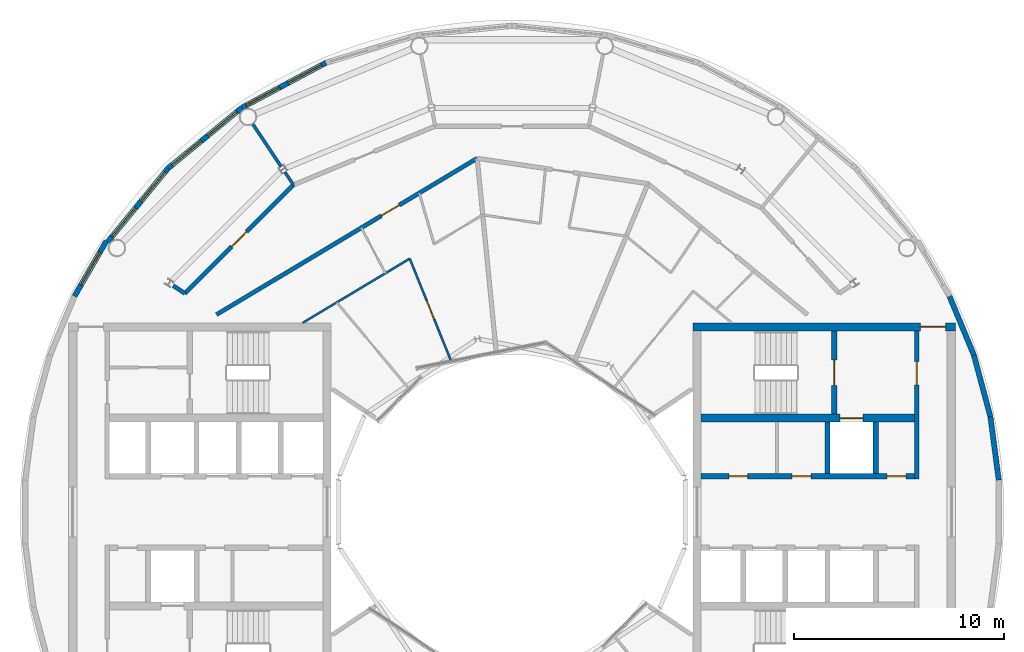
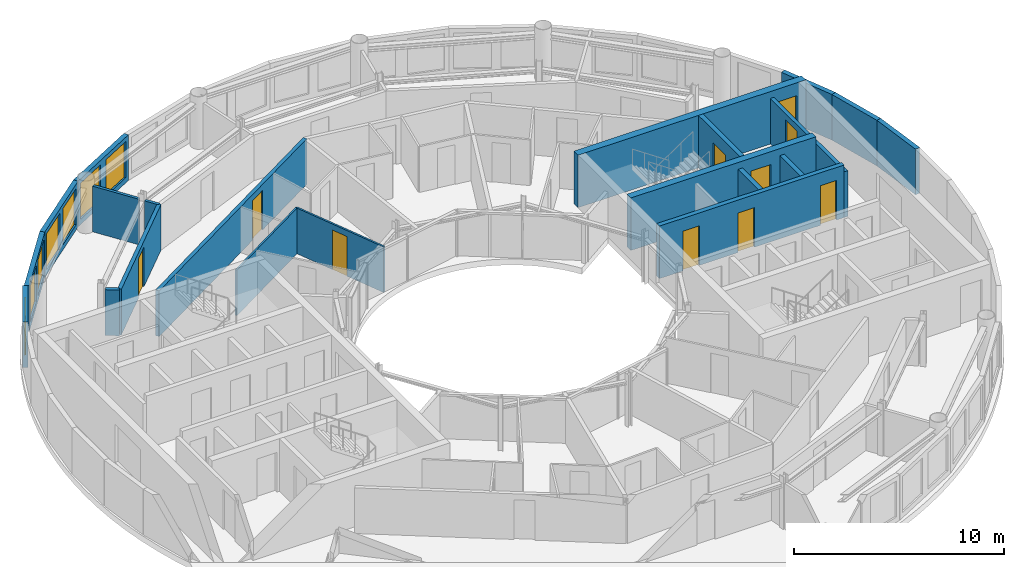
# One storey, part 12 of 17: 21 walls, 10 doors, 7 windows, 17 openings.
"""IFC4 building model written with IfcOpenShell, lengths in metres."""

from ifc_helpers import new_model, si_unit, direction, frame, frame_2d, origin, place, context, subcontext, project, spatial, rectangle, extrude, material, layer, layer_set, type_object, element, fill, save


model = new_model("IFC4")

# Units and contexts
model_context = context("Model", 3, precision=1e-05, world=origin(), true_north=direction((0.0, 1.0)))
body_context = subcontext(model_context, "Body", "Model", "MODEL_VIEW")
ifc_project = project(units=[si_unit("LENGTHUNIT", "METRE"), si_unit("AREAUNIT", "SQUARE_METRE"), si_unit("VOLUMEUNIT", "CUBIC_METRE"), si_unit("PLANEANGLEUNIT", "RADIAN"), si_unit("MASSUNIT", "GRAM", prefix="KILO")], contexts=[model_context])

# Site, building, storey
site_placement = place(None, origin())
site = spatial("IfcSite", under=ifc_project, at=site_placement, CompositionType="ELEMENT")
building_placement = place(site_placement, origin())
building = spatial("IfcBuilding", under=site, at=building_placement, Name="Maasbend Ring Residences", CompositionType="ELEMENT")
storey_placement = place(building_placement, frame((0.0, 0.0, 252.35009765625)))
storey = spatial("IfcBuildingStorey", under=building, at=storey_placement, Name="L73", CompositionType="ELEMENT", Elevation=252.35009765625)

# Wall, openings, doors
ifc_material_1 = material(Name="Concrete C50/60", Category="concrete")
ifc_layer_1 = layer(ifc_material_1, 0.25)
ifc_layer_set_1 = layer_set([ifc_layer_1], Name="Concrete C50/60")
wall_type_1 = type_object("IfcWallType", Name="CORE WALL 250 C50/60", PredefinedType="SHEAR", material=ifc_layer_set_1)
wall_1_placement = place(storey_placement, frame((9.0, 1.699951171875, 0.0), z_axis=(0.0, 0.0, 1.0), x_axis=(1.0, 0.0, 0.0)))
wall_1 = element("IfcWall", 1, at=wall_1_placement, inside=storey, type_object=wall_type_1, Name="L73 core E wall SPN", PredefinedType="SHEAR", context=body_context, shape_type="SweptSolid", body=[
    extrude(rectangle(XDim=10.14990234375, YDim=0.25, at=frame_2d((5.074951171875, 0.0))), origin(), (0.0, 0.0, 1.0), 3.0498046875),
])
opening_1_placement = place(wall_1_placement, frame((1.3125, 0.0, 0.0)))
opening_1 = element("IfcOpeningElement", 2, at=opening_1_placement, cuts=wall_1, Name="Opening D-E7306", PredefinedType="OPENING", context=body_context, shape_type="SweptSolid", body=[
    extrude(rectangle(XDim=0.89990234375, YDim=2.300048828125, at=frame_2d((0.449951171875, 1.14990234375))), frame((0.0, 0.135009765625, 0.0), z_axis=(0.0, -1.0, 0.0), x_axis=(1.0, 0.0, 0.0)), (0.0, 0.0, 1.0), 0.27001953125),
])
opening_2_placement = place(wall_1_placement, frame((4.324951171875, 0.0, 0.0)))
opening_2 = element("IfcOpeningElement", 3, at=opening_2_placement, cuts=wall_1, Name="Opening D-E7307", PredefinedType="OPENING", context=body_context, shape_type="SweptSolid", body=[
    extrude(rectangle(XDim=0.89990234375, YDim=2.300048828125, at=frame_2d((0.449951171875, 1.14990234375))), frame((0.0, 0.135009765625, 0.0), z_axis=(0.0, -1.0, 0.0), x_axis=(1.0, 0.0, 0.0)), (0.0, 0.0, 1.0), 0.27001953125),
])
opening_3_placement = place(wall_1_placement, frame((8.83740234375, 0.0, 0.0)))
opening_3 = element("IfcOpeningElement", 4, at=opening_3_placement, cuts=wall_1, Name="Opening D-E7308", PredefinedType="OPENING", context=body_context, shape_type="SweptSolid", body=[
    extrude(rectangle(XDim=0.89990234375, YDim=2.300048828125, at=frame_2d((0.449951171875, 1.14990234375))), frame((0.0, 0.135009765625, 0.0), z_axis=(0.0, -1.0, 0.0), x_axis=(1.0, 0.0, 0.0)), (0.0, 0.0, 1.0), 0.27001953125),
])
ifc_material_2 = material(Name="Steel, powder coated", Category="steel")
door_type_1 = type_object("IfcDoorType", Name="ROOM DOOR 900 X 2300 FD30S", OperationType="NOTDEFINED", PredefinedType="DOOR", material=ifc_material_2)
door_1_placement = place(opening_1_placement, origin())
door_1 = element("IfcDoor", 5, at=door_1_placement, inside=storey, type_object=door_type_1, Name="Room door L73", OperationType="SINGLE_SWING_RIGHT", OverallHeight=2.300048828125, OverallWidth=0.89990234375, PredefinedType="DOOR", context=body_context, shape_type="SweptSolid", body=[
    extrude(rectangle(XDim=0.89990234375, YDim=2.300048828125, at=frame_2d((0.449951171875, 1.14990234375))), frame((0.0, 0.02490234375, 0.0), z_axis=(0.0, -1.0, 0.0), x_axis=(1.0, 0.0, 0.0)), (0.0, 0.0, 1.0), 0.050048828125),
])
fill(opening_1, door_1)
door_2_placement = place(opening_2_placement, origin())
door_2 = element("IfcDoor", 6, at=door_2_placement, inside=storey, type_object=door_type_1, Name="Room door L73", OperationType="SINGLE_SWING_RIGHT", OverallHeight=2.300048828125, OverallWidth=0.89990234375, PredefinedType="DOOR", context=body_context, shape_type="SweptSolid", body=[
    extrude(rectangle(XDim=0.89990234375, YDim=2.300048828125, at=frame_2d((0.449951171875, 1.14990234375))), frame((0.0, 0.02490234375, 0.0), z_axis=(0.0, -1.0, 0.0), x_axis=(1.0, 0.0, 0.0)), (0.0, 0.0, 1.0), 0.050048828125),
])
fill(opening_2, door_2)
door_3_placement = place(opening_3_placement, origin())
door_3 = element("IfcDoor", 7, at=door_3_placement, inside=storey, type_object=door_type_1, Name="Room door L73", OperationType="SINGLE_SWING_LEFT", OverallHeight=2.300048828125, OverallWidth=0.89990234375, PredefinedType="DOOR", context=body_context, shape_type="SweptSolid", body=[
    extrude(rectangle(XDim=0.89990234375, YDim=2.300048828125, at=frame_2d((0.449951171875, 1.14990234375))), frame((0.0, 0.02490234375, 0.0), z_axis=(0.0, -1.0, 0.0), x_axis=(1.0, 0.0, 0.0)), (0.0, 0.0, 1.0), 0.050048828125),
])
fill(opening_3, door_3)

# Wall, opening, door
wall_2_placement = place(storey_placement, frame((15.324951171875, 4.64990234375, 0.0), z_axis=(0.0, 0.0, 1.0), x_axis=(0.0, 1.0, 0.0)))
wall_2 = element("IfcWall", 8, at=wall_2_placement, inside=storey, type_object=wall_type_1, Name="L73 core E wall STEN", PredefinedType="SHEAR", context=body_context, shape_type="SweptSolid", body=[
    extrude(rectangle(XDim=3.9501953125, YDim=0.25, at=frame_2d((1.97509765625, 0.0))), origin(), (0.0, 0.0, 1.0), 3.0498046875),
])
opening_4_placement = place(wall_2_placement, frame((1.375, 0.0, 0.0)))
opening_4 = element("IfcOpeningElement", 9, at=opening_4_placement, cuts=wall_2, Name="Opening D-E7311", PredefinedType="OPENING", context=body_context, shape_type="SweptSolid", body=[
    extrude(rectangle(XDim=1.199951171875, YDim=2.300048828125, at=frame_2d((0.60009765625, 1.14990234375))), frame((0.0, 0.135009765625, 0.0), z_axis=(0.0, -1.0, 0.0), x_axis=(1.0, 0.0, 0.0)), (0.0, 0.0, 1.0), 0.27001953125),
])
ifc_material_3 = material(Name="Steel, powder coated", Category="steel")
door_type_2 = type_object("IfcDoorType", Name="STAIR DOOR 1200 X 2300 FD60", OperationType="NOTDEFINED", PredefinedType="DOOR", material=ifc_material_3)
door_4_placement = place(opening_4_placement, origin())
door_4 = element("IfcDoor", 10, at=door_4_placement, inside=storey, type_object=door_type_2, Name="Stair door ST-E L73", OperationType="SINGLE_SWING_LEFT", OverallHeight=2.300048828125, OverallWidth=1.199951171875, PredefinedType="DOOR", context=body_context, shape_type="SweptSolid", body=[
    extrude(rectangle(XDim=1.199951171875, YDim=2.300048828125, at=frame_2d((0.60009765625, 1.14990234375))), frame((0.0, 0.02490234375, 0.0), z_axis=(0.0, -1.0, 0.0), x_axis=(1.0, 0.0, 0.0)), (0.0, 0.0, 1.0), 0.050048828125),
])
fill(opening_4, door_4)

ifc_material_4 = material(Name="Concrete C50/60", Category="concrete")
ifc_layer_2 = layer(ifc_material_4, 0.375)
ifc_layer_set_2 = layer_set([ifc_layer_2], Name="Concrete C50/60")
wall_type_2 = type_object("IfcWallType", Name="CORE WALL 375 C50/60", PredefinedType="SHEAR", material=ifc_layer_set_2)
wall_3_placement = place(storey_placement, frame((9.0, 4.46240234375, 0.0), z_axis=(0.0, 0.0, 1.0), x_axis=(1.0, 0.0, 0.0)))
wall_3 = element("IfcWall", 11, at=wall_3_placement, inside=storey, type_object=wall_type_2, Name="L73 core E wall BN", PredefinedType="SHEAR", context=body_context, shape_type="SweptSolid", body=[
    extrude(rectangle(XDim=10.14990234375, YDim=0.375, at=frame_2d((5.074951171875, 0.0))), origin(), (0.0, 0.0, 1.0), 3.0498046875),
])
opening_5_placement = place(wall_3_placement, frame((6.60009765625, 0.0, 0.0)))
opening_5 = element("IfcOpeningElement", 12, at=opening_5_placement, cuts=wall_3, Name="Opening LD-E7301", PredefinedType="OPENING", context=body_context, shape_type="SweptSolid", body=[
    extrude(rectangle(XDim=1.10009765625, YDim=2.300048828125, at=frame_2d((0.550048828125, 1.14990234375))), frame((0.0, 0.197509765625, 0.0), z_axis=(0.0, -1.0, 0.0), x_axis=(1.0, 0.0, 0.0)), (0.0, 0.0, 1.0), 0.39501953125),
])
ifc_material_5 = material(Name="Stainless steel 316", Category="steel")
door_type_3 = type_object("IfcDoorType", Name="LANDING DOOR 1100 X 2300 FD60", OperationType="DOUBLE_DOOR_SLIDING", PredefinedType="DOOR", material=ifc_material_5)
door_5_placement = place(opening_5_placement, origin())
door_5 = element("IfcDoor", 13, at=door_5_placement, inside=storey, type_object=door_type_3, Name="Landing door FF-E L73", OperationType="DOUBLE_DOOR_SLIDING", OverallHeight=2.300048828125, OverallWidth=1.10009765625, PredefinedType="DOOR", context=body_context, shape_type="SweptSolid", body=[
    extrude(rectangle(XDim=1.10009765625, YDim=2.300048828125, at=frame_2d((0.550048828125, 1.14990234375))), frame((0.0, 0.02490234375, 0.0), z_axis=(0.0, -1.0, 0.0), x_axis=(1.0, 0.0, 0.0)), (0.0, 0.0, 1.0), 0.050048828125),
])
fill(opening_5, door_5)

ifc_material_6 = material(Name="Concrete C50/60", Category="concrete")
ifc_layer_3 = layer(ifc_material_6, 0.39990234375)
ifc_layer_set_3 = layer_set([ifc_layer_3], Name="Concrete C50/60")
wall_type_3 = type_object("IfcWallType", Name="CORE WALL 400 C50/60", PredefinedType="SHEAR", material=ifc_layer_set_3)
wall_4_placement = place(storey_placement, frame((21.10009765625, 8.800048828125, 0.0), z_axis=(0.0, 0.0, 1.0), x_axis=(-1.0, 0.0, 0.0)))
wall_4 = element("IfcWall", 14, at=wall_4_placement, inside=storey, type_object=wall_type_3, Name="L73 core E wall PN", PredefinedType="SHEAR", context=body_context, shape_type="SweptSolid", body=[
    extrude(rectangle(XDim=12.5, YDim=0.39990234375, at=frame_2d((6.25, 0.0))), origin(), (0.0, 0.0, 1.0), 3.0498046875),
])
opening_6_placement = place(wall_4_placement, frame((0.47509765625, 0.0, 0.0)))
opening_6 = element("IfcOpeningElement", 15, at=opening_6_placement, cuts=wall_4, Name="Opening D-E7315", PredefinedType="OPENING", context=body_context, shape_type="SweptSolid", body=[
    extrude(rectangle(XDim=1.199951171875, YDim=2.300048828125, at=frame_2d((0.60009765625, 1.14990234375))), frame((0.0, 0.2099609375, 0.0), z_axis=(0.0, -1.0, 0.0), x_axis=(1.0, 0.0, 0.0)), (0.0, 0.0, 1.0), 0.419921875),
])
ifc_material_7 = material(Name="Steel, powder coated", Category="steel")
door_type_4 = type_object("IfcDoorType", Name="CORRIDOR DOOR 1200 X 2300 FD30S", OperationType="NOTDEFINED", PredefinedType="DOOR", material=ifc_material_7)
door_6_placement = place(opening_6_placement, origin())
door_6 = element("IfcDoor", 16, at=door_6_placement, inside=storey, type_object=door_type_4, Name="Corridor door L73", OperationType="SINGLE_SWING_RIGHT", OverallHeight=2.300048828125, OverallWidth=1.199951171875, PredefinedType="DOOR", context=body_context, shape_type="SweptSolid", body=[
    extrude(rectangle(XDim=1.199951171875, YDim=2.300048828125, at=frame_2d((0.60009765625, 1.14990234375))), frame((0.0, 0.02490234375, 0.0), z_axis=(0.0, -1.0, 0.0), x_axis=(1.0, 0.0, 0.0)), (0.0, 0.0, 1.0), 0.050048828125),
])
fill(opening_6, door_6)

# Wall
ifc_material_8 = material(Name="Concrete C30/37", Category="concrete")
ifc_layer_4 = layer(ifc_material_8, 0.199951171875)
ifc_layer_set_4 = layer_set([ifc_layer_4], Name="Concrete C30/37")
wall_type_4 = type_object("IfcWallType", Name="CORRIDOR WALL 200 CONCRETE", PredefinedType="PARTITIONING", material=ifc_layer_set_4)
wall_5_placement = place(storey_placement, frame((-16.114013671875, 10.76708984375, 0.0), z_axis=(0.0, 0.0, 1.0), x_axis=(0.831601508083, -0.555372786292, 0.0)))
element("IfcWall", 17, at=wall_5_placement, inside=storey, type_object=wall_type_4, Name="U-L73-w018", PredefinedType="PARTITIONING", context=body_context, shape_type="SweptSolid", body=[
    extrude(rectangle(XDim=0.669921875, YDim=0.199951171875, at=frame_2d((0.3349609375, 0.0))), origin(), (0.0, 0.0, 1.0), 2.64990234375),
])

# Wall, opening, door
wall_6_placement = place(storey_placement, frame((-14.052001953125, 9.388916015625, 0.0), z_axis=(0.0, 0.0, 1.0), x_axis=(0.857683679102, 0.51417769944, 0.0)))
wall_6 = element("IfcWall", 18, at=wall_6_placement, inside=storey, type_object=wall_type_4, Name="U-L73-w063", PredefinedType="PARTITIONING", context=body_context, shape_type="SweptSolid", body=[
    extrude(rectangle(XDim=14.45068359375, YDim=0.199951171875, at=frame_2d((7.225341796875, 0.0))), origin(), (0.0, 0.0, 1.0), 2.64990234375),
])
opening_7_placement = place(wall_6_placement, frame((9.134033203125, 0.0, 0.0)))
opening_7 = element("IfcOpeningElement", 19, at=opening_7_placement, cuts=wall_6, Name="Opening D-7318", PredefinedType="OPENING", context=body_context, shape_type="SweptSolid", body=[
    extrude(rectangle(XDim=1.0, YDim=2.300048828125, at=frame_2d((0.5, 1.14990234375))), frame((0.0, 0.10986328125, 0.0), z_axis=(0.0, -1.0, 0.0), x_axis=(1.0, 0.0, 0.0)), (0.0, 0.0, 1.0), 0.219970703125),
])
ifc_material_9 = material(Name="Timber, fire-rated, painted", Category="wood")
door_type_5 = type_object("IfcDoorType", Name="FLAT ENTRANCE DOOR 1000 X 2300 FIRE-RATED", OperationType="NOTDEFINED", PredefinedType="DOOR", material=ifc_material_9)
door_7_placement = place(opening_7_placement, origin())
door_7 = element("IfcDoor", 20, at=door_7_placement, inside=storey, type_object=door_type_5, Name="D-7318", OperationType="SINGLE_SWING_RIGHT", OverallHeight=2.300048828125, OverallWidth=1.0, PredefinedType="DOOR", context=body_context, shape_type="SweptSolid", body=[
    extrude(rectangle(XDim=1.0, YDim=2.300048828125, at=frame_2d((0.5, 1.14990234375))), frame((0.0, 0.02490234375, 0.0), z_axis=(0.0, -1.0, 0.0), x_axis=(1.0, 0.0, 0.0)), (0.0, 0.0, 1.0), 0.050048828125),
])
fill(opening_7, door_7)

wall_7_placement = place(storey_placement, frame((-15.556884765625, 10.39501953125, 0.0), z_axis=(0.0, 0.0, 1.0), x_axis=(0.707106781187, 0.707106781187, 0.0)))
wall_7 = element("IfcWall", 21, at=wall_7_placement, inside=storey, type_object=wall_type_4, Name="U-L73-w067", PredefinedType="PARTITIONING", context=body_context, shape_type="SweptSolid", body=[
    extrude(rectangle(XDim=7.300048828125, YDim=0.199951171875, at=frame_2d((3.64990234375, 0.0))), origin(), (0.0, 0.0, 1.0), 2.64990234375),
])
opening_8_placement = place(wall_7_placement, frame((3.14990234375, 0.0, 0.0)))
opening_8 = element("IfcOpeningElement", 22, at=opening_8_placement, cuts=wall_7, Name="Opening D-7305", PredefinedType="OPENING", context=body_context, shape_type="SweptSolid", body=[
    extrude(rectangle(XDim=1.0, YDim=2.300048828125, at=frame_2d((0.5, 1.14990234375))), frame((0.0, 0.10986328125, 0.0), z_axis=(0.0, -1.0, 0.0), x_axis=(1.0, 0.0, 0.0)), (0.0, 0.0, 1.0), 0.219970703125),
])
ifc_material_10 = material(Name="Timber, painted", Category="wood")
door_type_6 = type_object("IfcDoorType", Name="ROOM DOOR 1000 X 2300", OperationType="NOTDEFINED", PredefinedType="DOOR", material=ifc_material_10)
door_8_placement = place(opening_8_placement, origin())
door_8 = element("IfcDoor", 23, at=door_8_placement, inside=storey, type_object=door_type_6, Name="D-7305", OperationType="SINGLE_SWING_LEFT", OverallHeight=2.300048828125, OverallWidth=1.0, PredefinedType="DOOR", context=body_context, shape_type="SweptSolid", body=[
    extrude(rectangle(XDim=1.0, YDim=2.300048828125, at=frame_2d((0.5, 1.14990234375))), frame((0.0, 0.02490234375, 0.0), z_axis=(0.0, -1.0, 0.0), x_axis=(1.0, 0.0, 0.0)), (0.0, 0.0, 1.0), 0.050048828125),
])
fill(opening_8, door_8)

# Wall, openings, windows
ifc_material_11 = material(Name="Aluminium clad insulated panel", Category="aluminium")
ifc_layer_5 = layer(ifc_material_11, 0.25)
ifc_layer_set_5 = layer_set([ifc_layer_5], Name="EW-GL")
wall_type_5 = type_object("IfcWallType", Name="EW-GL", PredefinedType="SOLIDWALL", material=ifc_layer_set_5)
wall_8_placement = place(storey_placement, frame((-8.85009765625, 21.364990234375, 0.0), z_axis=(0.0, 0.0, 1.0), x_axis=(-0.881912752543, -0.471412660947, 0.0)))
wall_8 = element("IfcWall", 24, at=wall_8_placement, inside=storey, type_object=wall_type_5, Name="External wall N08", PredefinedType="SOLIDWALL", context=body_context, shape_type="SweptSolid", body=[
    extrude(rectangle(XDim=4.533203125, YDim=0.25, at=frame_2d((2.2666015625, 0.0))), origin(), (0.0, 0.0, 1.0), 2.64990234375),
])
opening_9_placement = place(wall_8_placement, frame((0.236083984375, 0.0, 0.300048828125)))
opening_9 = element("IfcOpeningElement", 25, at=opening_9_placement, cuts=wall_8, Name="Opening W-BX", PredefinedType="OPENING", context=body_context, shape_type="SweptSolid", body=[
    extrude(rectangle(XDim=1.800048828125, YDim=2.10009765625, at=frame_2d((0.89990234375, 1.050048828125))), frame((0.0, 0.135009765625, 0.0), z_axis=(0.0, -1.0, 0.0), x_axis=(1.0, 0.0, 0.0)), (0.0, 0.0, 1.0), 0.27001953125),
])
opening_10_placement = place(wall_8_placement, frame((2.497314453125, 0.0, 0.300048828125)))
opening_10 = element("IfcOpeningElement", 26, at=opening_10_placement, cuts=wall_8, Name="Opening W-BX", PredefinedType="OPENING", context=body_context, shape_type="SweptSolid", body=[
    extrude(rectangle(XDim=1.800048828125, YDim=2.10009765625, at=frame_2d((0.89990234375, 1.050048828125))), frame((0.0, 0.135009765625, 0.0), z_axis=(0.0, -1.0, 0.0), x_axis=(1.0, 0.0, 0.0)), (0.0, 0.0, 1.0), 0.27001953125),
])
ifc_material_12 = material(Name="Aluminium and clear glass", Category="aluminium")
window_type = type_object("IfcWindowType", Name="W-BX", PartitioningType="DOUBLE_PANEL_VERTICAL", PredefinedType="WINDOW", material=ifc_material_12)
window_1_placement = place(opening_9_placement, origin())
window_1 = element("IfcWindow", 27, at=window_1_placement, inside=storey, type_object=window_type, Name="Window N15", OverallHeight=2.10009765625, OverallWidth=1.800048828125, PartitioningType="SINGLE_PANEL", PredefinedType="WINDOW", context=body_context, shape_type="SweptSolid", body=[
    extrude(rectangle(XDim=1.800048828125, YDim=2.10009765625, at=frame_2d((0.89990234375, 1.050048828125))), frame((0.0, 0.030029296875, 0.0), z_axis=(0.0, -1.0, 0.0), x_axis=(1.0, 0.0, 0.0)), (0.0, 0.0, 1.0), 0.06005859375),
])
fill(opening_9, window_1)
window_2_placement = place(opening_10_placement, origin())
window_2 = element("IfcWindow", 28, at=window_2_placement, inside=storey, type_object=window_type, Name="Window N16", OverallHeight=2.10009765625, OverallWidth=1.800048828125, PartitioningType="SINGLE_PANEL", PredefinedType="WINDOW", context=body_context, shape_type="SweptSolid", body=[
    extrude(rectangle(XDim=1.800048828125, YDim=2.10009765625, at=frame_2d((0.89990234375, 1.050048828125))), frame((0.0, 0.030029296875, 0.0), z_axis=(0.0, -1.0, 0.0), x_axis=(1.0, 0.0, 0.0)), (0.0, 0.0, 1.0), 0.06005859375),
])
fill(opening_10, window_2)

wall_9_placement = place(storey_placement, frame((-12.847900390625, 19.22802734375, 0.0), z_axis=(0.0, 0.0, 1.0), x_axis=(-0.772989395532, -0.634418942337, 0.0)))
wall_9 = element("IfcWall", 29, at=wall_9_placement, inside=storey, type_object=wall_type_5, Name="External wall N09", PredefinedType="SOLIDWALL", context=body_context, shape_type="SweptSolid", body=[
    extrude(rectangle(XDim=4.533203125, YDim=0.25, at=frame_2d((2.2666015625, 0.0))), origin(), (0.0, 0.0, 1.0), 2.64990234375),
])
opening_11_placement = place(wall_9_placement, frame((0.300048828125, 0.0, 0.300048828125)))
opening_11 = element("IfcOpeningElement", 30, at=opening_11_placement, cuts=wall_9, Name="Opening W-BX", PredefinedType="OPENING", context=body_context, shape_type="SweptSolid", body=[
    extrude(rectangle(XDim=1.800048828125, YDim=2.10009765625, at=frame_2d((0.89990234375, 1.050048828125))), frame((0.0, 0.135009765625, 0.0), z_axis=(0.0, -1.0, 0.0), x_axis=(1.0, 0.0, 0.0)), (0.0, 0.0, 1.0), 0.27001953125),
])
opening_12_placement = place(wall_9_placement, frame((2.497314453125, 0.0, 0.300048828125)))
opening_12 = element("IfcOpeningElement", 31, at=opening_12_placement, cuts=wall_9, Name="Opening W-BX", PredefinedType="OPENING", context=body_context, shape_type="SweptSolid", body=[
    extrude(rectangle(XDim=1.800048828125, YDim=2.10009765625, at=frame_2d((0.89990234375, 1.050048828125))), frame((0.0, 0.135009765625, 0.0), z_axis=(0.0, -1.0, 0.0), x_axis=(1.0, 0.0, 0.0)), (0.0, 0.0, 1.0), 0.27001953125),
])
window_3_placement = place(opening_11_placement, origin())
window_3 = element("IfcWindow", 32, at=window_3_placement, inside=storey, type_object=window_type, Name="Window N17", OverallHeight=2.10009765625, OverallWidth=1.800048828125, PartitioningType="SINGLE_PANEL", PredefinedType="WINDOW", context=body_context, shape_type="SweptSolid", body=[
    extrude(rectangle(XDim=1.800048828125, YDim=2.10009765625, at=frame_2d((0.89990234375, 1.050048828125))), frame((0.0, 0.030029296875, 0.0), z_axis=(0.0, -1.0, 0.0), x_axis=(1.0, 0.0, 0.0)), (0.0, 0.0, 1.0), 0.06005859375),
])
fill(opening_11, window_3)
window_4_placement = place(opening_12_placement, origin())
window_4 = element("IfcWindow", 33, at=window_4_placement, inside=storey, type_object=window_type, Name="Window N18", OverallHeight=2.10009765625, OverallWidth=1.800048828125, PartitioningType="SINGLE_PANEL", PredefinedType="WINDOW", context=body_context, shape_type="SweptSolid", body=[
    extrude(rectangle(XDim=1.800048828125, YDim=2.10009765625, at=frame_2d((0.89990234375, 1.050048828125))), frame((0.0, 0.030029296875, 0.0), z_axis=(0.0, -1.0, 0.0), x_axis=(1.0, 0.0, 0.0)), (0.0, 0.0, 1.0), 0.06005859375),
])
fill(opening_12, window_4)

wall_10_placement = place(storey_placement, frame((-16.35205078125, 16.35205078125, 0.0), z_axis=(0.0, 0.0, 1.0), x_axis=(-0.634418942337, -0.772989395532, 0.0)))
wall_10 = element("IfcWall", 34, at=wall_10_placement, inside=storey, type_object=wall_type_5, Name="External wall N10", PredefinedType="SOLIDWALL", context=body_context, shape_type="SweptSolid", body=[
    extrude(rectangle(XDim=4.533203125, YDim=0.25, at=frame_2d((2.2666015625, 0.0))), origin(), (0.0, 0.0, 1.0), 2.64990234375),
])
opening_13_placement = place(wall_10_placement, frame((0.236083984375, 0.0, 0.300048828125)))
opening_13 = element("IfcOpeningElement", 35, at=opening_13_placement, cuts=wall_10, Name="Opening W-BX", PredefinedType="OPENING", context=body_context, shape_type="SweptSolid", body=[
    extrude(rectangle(XDim=1.800048828125, YDim=2.10009765625, at=frame_2d((0.89990234375, 1.050048828125))), frame((0.0, 0.135009765625, 0.0), z_axis=(0.0, -1.0, 0.0), x_axis=(1.0, 0.0, 0.0)), (0.0, 0.0, 1.0), 0.27001953125),
])
opening_14_placement = place(wall_10_placement, frame((2.4267578125, 0.0, 0.300048828125)))
opening_14 = element("IfcOpeningElement", 36, at=opening_14_placement, cuts=wall_10, Name="Opening W-BX", PredefinedType="OPENING", context=body_context, shape_type="SweptSolid", body=[
    extrude(rectangle(XDim=1.800048828125, YDim=2.10009765625, at=frame_2d((0.89990234375, 1.050048828125))), frame((0.0, 0.135009765625, 0.0), z_axis=(0.0, -1.0, 0.0), x_axis=(1.0, 0.0, 0.0)), (0.0, 0.0, 1.0), 0.27001953125),
])
window_5_placement = place(opening_13_placement, origin())
window_5 = element("IfcWindow", 37, at=window_5_placement, inside=storey, type_object=window_type, Name="Window N19", OverallHeight=2.10009765625, OverallWidth=1.800048828125, PartitioningType="SINGLE_PANEL", PredefinedType="WINDOW", context=body_context, shape_type="SweptSolid", body=[
    extrude(rectangle(XDim=1.800048828125, YDim=2.10009765625, at=frame_2d((0.89990234375, 1.050048828125))), frame((0.0, 0.030029296875, 0.0), z_axis=(0.0, -1.0, 0.0), x_axis=(1.0, 0.0, 0.0)), (0.0, 0.0, 1.0), 0.06005859375),
])
fill(opening_13, window_5)
window_6_placement = place(opening_14_placement, origin())
window_6 = element("IfcWindow", 38, at=window_6_placement, inside=storey, type_object=window_type, Name="Window N20", OverallHeight=2.10009765625, OverallWidth=1.800048828125, PartitioningType="SINGLE_PANEL", PredefinedType="WINDOW", context=body_context, shape_type="SweptSolid", body=[
    extrude(rectangle(XDim=1.800048828125, YDim=2.10009765625, at=frame_2d((0.89990234375, 1.050048828125))), frame((0.0, 0.030029296875, 0.0), z_axis=(0.0, -1.0, 0.0), x_axis=(1.0, 0.0, 0.0)), (0.0, 0.0, 1.0), 0.06005859375),
])
fill(opening_14, window_6)

# Wall, opening, window
ifc_material_13 = material(Name="Aluminium clad insulated panel", Category="aluminium")
ifc_layer_6 = layer(ifc_material_13, 0.25)
ifc_layer_set_6 = layer_set([ifc_layer_6], Name="EW-HORN")
wall_type_6 = type_object("IfcWallType", Name="EW-HORN", PredefinedType="SOLIDWALL", material=ifc_layer_set_6)
wall_11_placement = place(storey_placement, frame((-19.2900390625, 12.888916015625, 0.0), z_axis=(0.0, 0.0, 1.0), x_axis=(-0.499903546559, -0.866081084043, 0.0)))
wall_11 = element("IfcWall", 39, at=wall_11_placement, inside=storey, type_object=wall_type_6, Name="Horn wall 2.1", PredefinedType="SOLIDWALL", context=body_context, shape_type="SweptSolid", body=[
    extrude(rectangle(XDim=3.0341796875, YDim=0.25, at=frame_2d((1.51708984375, 0.0))), origin(), (0.0, 0.0, 1.0), 2.64990234375),
])
opening_15_placement = place(wall_11_placement, frame((0.617431640625, 0.0, 0.300048828125)))
opening_15 = element("IfcOpeningElement", 40, at=opening_15_placement, cuts=wall_11, Name="Opening W-BX", PredefinedType="OPENING", context=body_context, shape_type="SweptSolid", body=[
    extrude(rectangle(XDim=1.800048828125, YDim=2.10009765625, at=frame_2d((0.89990234375, 1.050048828125))), frame((0.0, 0.135009765625, 0.0), z_axis=(0.0, -1.0, 0.0), x_axis=(1.0, 0.0, 0.0)), (0.0, 0.0, 1.0), 0.27001953125),
])
window_7_placement = place(opening_15_placement, origin())
window_7 = element("IfcWindow", 41, at=window_7_placement, inside=storey, type_object=window_type, Name="Horn window 2.1", OverallHeight=2.10009765625, OverallWidth=1.800048828125, PartitioningType="SINGLE_PANEL", PredefinedType="WINDOW", context=body_context, shape_type="SweptSolid", body=[
    extrude(rectangle(XDim=1.800048828125, YDim=2.10009765625, at=frame_2d((0.89990234375, 1.050048828125))), frame((0.0, 0.030029296875, 0.0), z_axis=(0.0, -1.0, 0.0), x_axis=(1.0, 0.0, 0.0)), (0.0, 0.0, 1.0), 0.06005859375),
])
fill(opening_15, window_7)

# Walls
ifc_material_14 = material(Name="Louvred aluminium panel", Category="aluminium")
ifc_layer_7 = layer(ifc_material_14, 0.25)
ifc_layer_set_7 = layer_set([ifc_layer_7], Name="EW-LV")
wall_type_7 = type_object("IfcWallType", Name="EW-LV", PredefinedType="SOLIDWALL", material=ifc_layer_set_7)
wall_12_placement = place(storey_placement, frame((23.14990234375, 1.51708984375, 0.0), z_axis=(0.0, 0.0, 1.0), x_axis=(-0.130487809173, 0.991449913842, 0.0)))
element("IfcWall", 42, at=wall_12_placement, inside=storey, type_object=wall_type_7, Name="Horn wall 1.6", PredefinedType="SOLIDWALL", context=body_context, shape_type="SweptSolid", body=[
    extrude(rectangle(XDim=3.03466796875, YDim=0.25, at=frame_2d((1.517333984375, 0.0))), origin(), (0.0, 0.0, 1.0), 2.64990234375),
])
wall_13_placement = place(storey_placement, frame((22.75390625, 4.52587890625, 0.0), z_axis=(0.0, 0.0, 1.0), x_axis=(-0.258669057101, 0.965966002972, 0.0)))
element("IfcWall", 43, at=wall_13_placement, inside=storey, type_object=wall_type_7, Name="Horn wall 1.7", PredefinedType="SOLIDWALL", context=body_context, shape_type="SweptSolid", body=[
    extrude(rectangle(XDim=3.034423828125, YDim=0.25, at=frame_2d((1.51708984375, 0.0))), origin(), (0.0, 0.0, 1.0), 2.64990234375),
])
wall_14_placement = place(storey_placement, frame((21.968994140625, 7.45703125, 0.0), z_axis=(0.0, 0.0, 1.0), x_axis=(-0.382872724993, 0.923801102216, 0.0)))
element("IfcWall", 44, at=wall_14_placement, inside=storey, type_object=wall_type_7, Name="Horn wall 1.8", PredefinedType="SOLIDWALL", context=body_context, shape_type="SweptSolid", body=[
    extrude(rectangle(XDim=3.03515625, YDim=0.25, at=frame_2d((1.517578125, 0.0))), origin(), (0.0, 0.0, 1.0), 2.64990234375),
])

# Wall, opening, door
ifc_material_15 = material(Name="Gypsum board on steel studs", Category="steel")
ifc_layer_8 = layer(ifc_material_15, 0.10009765625)
ifc_layer_set_8 = layer_set([ifc_layer_8], Name="PARTITION 100 GYPSUM")
wall_type_8 = type_object("IfcWallType", Name="PARTITION 100 GYPSUM", PredefinedType="PARTITIONING", material=ifc_layer_set_8)
wall_15_placement = place(storey_placement, frame((-4.864013671875, 12.051025390625, 0.0), z_axis=(0.0, 0.0, 1.0), x_axis=(0.374372761824, -0.927278294367, 0.0)))
wall_15 = element("IfcWall", 45, at=wall_15_placement, inside=storey, type_object=wall_type_8, Name="U-L73-w027", PredefinedType="PARTITIONING", context=body_context, shape_type="SweptSolid", body=[
    extrude(rectangle(XDim=5.275634765625, YDim=0.10009765625, at=frame_2d((2.6376953125, 0.0))), origin(), (0.0, 0.0, 1.0), 2.64990234375),
])
opening_16_placement = place(wall_15_placement, frame((2.18798828125, 0.0, 0.0)))
opening_16 = element("IfcOpeningElement", 46, at=opening_16_placement, cuts=wall_15, Name="Opening D-7321", PredefinedType="OPENING", context=body_context, shape_type="SweptSolid", body=[
    extrude(rectangle(XDim=0.89990234375, YDim=2.300048828125, at=frame_2d((0.449951171875, 1.14990234375))), frame((0.0, 0.06005859375, 0.0), z_axis=(0.0, -1.0, 0.0), x_axis=(1.0, 0.0, 0.0)), (0.0, 0.0, 1.0), 0.1201171875),
])
ifc_material_16 = material(Name="Timber, painted", Category="wood")
door_type_7 = type_object("IfcDoorType", Name="INTERNAL DOOR 900 X 2300", OperationType="NOTDEFINED", PredefinedType="DOOR", material=ifc_material_16)
door_9_placement = place(opening_16_placement, origin())
door_9 = element("IfcDoor", 47, at=door_9_placement, inside=storey, type_object=door_type_7, Name="D-7321", OperationType="SINGLE_SWING_RIGHT", OverallHeight=2.300048828125, OverallWidth=0.89990234375, PredefinedType="DOOR", context=body_context, shape_type="SweptSolid", body=[
    extrude(rectangle(XDim=0.89990234375, YDim=2.300048828125, at=frame_2d((0.449951171875, 1.14990234375))), frame((0.0, 0.02490234375, 0.0), z_axis=(0.0, -1.0, 0.0), x_axis=(1.0, 0.0, 0.0)), (0.0, 0.0, 1.0), 0.050048828125),
])
fill(opening_16, door_9)

# Walls
wall_16_placement = place(storey_placement, frame((-9.955078125, 8.99609375, 0.0), z_axis=(0.0, 0.0, 1.0), x_axis=(0.857587239633, 0.514338532894, 0.0)))
element("IfcWall", 48, at=wall_16_placement, inside=storey, type_object=wall_type_8, Name="U-L73-w057", PredefinedType="PARTITIONING", context=body_context, shape_type="SweptSolid", body=[
    extrude(rectangle(XDim=5.937744140625, YDim=0.10009765625, at=frame_2d((2.96875, 0.0))), origin(), (0.0, 0.0, 1.0), 2.64990234375),
])
ifc_material_17 = material(Name="Gypsum board on steel studs", Category="steel")
ifc_layer_9 = layer(ifc_material_17, 0.14990234375)
ifc_layer_set_9 = layer_set([ifc_layer_9], Name="PARTITION 150 GYPSUM")
wall_type_9 = type_object("IfcWallType", Name="PARTITION 150 GYPSUM", PredefinedType="PARTITIONING", material=ifc_layer_set_9)
wall_17_placement = place(storey_placement, frame((-12.333984375, 18.4599609375, 0.0), z_axis=(0.0, 0.0, 1.0), x_axis=(0.55541269892, -0.831574851639, 0.0)))
element("IfcWall", 49, at=wall_17_placement, inside=storey, type_object=wall_type_9, Name="U-L73-w019", PredefinedType="PARTITIONING", context=body_context, shape_type="SweptSolid", body=[
    extrude(rectangle(XDim=2.45068359375, YDim=0.14990234375, at=frame_2d((1.225341796875, 0.0))), origin(), (0.0, 0.0, 1.0), 2.64990234375),
])
wall_18_placement = place(storey_placement, frame((-10.805908203125, 16.172119140625, 0.0), z_axis=(0.0, 0.0, 1.0), x_axis=(0.55538538696, -0.831593092775, 0.0)))
element("IfcWall", 50, at=wall_18_placement, inside=storey, type_object=wall_type_9, Name="U-L73-w021", PredefinedType="PARTITIONING", context=body_context, shape_type="SweptSolid", body=[
    extrude(rectangle(XDim=0.73974609375, YDim=0.14990234375, at=frame_2d((0.369873046875, 0.0))), origin(), (0.0, 0.0, 1.0), 2.64990234375),
])

# Wall, opening, door
ifc_material_18 = material(Name="Concrete C30/37", Category="concrete")
ifc_layer_10 = layer(ifc_material_18, 0.199951171875)
ifc_layer_set_10 = layer_set([ifc_layer_10], Name="Concrete C30/37")
wall_type_10 = type_object("IfcWallType", Name="SHAFT WALL 200 EI 120", PredefinedType="SOLIDWALL", material=ifc_layer_set_10)
wall_19_placement = place(storey_placement, frame((19.25, 1.574951171875, 0.0), z_axis=(0.0, 0.0, 1.0), x_axis=(0.0, 1.0, 0.0)))
wall_19 = element("IfcWall", 51, at=wall_19_placement, inside=storey, type_object=wall_type_10, Name="L73 core E wall ENDN", PredefinedType="SOLIDWALL", context=body_context, shape_type="SweptSolid", body=[
    extrude(rectangle(XDim=7.025146484375, YDim=0.199951171875, at=frame_2d((3.5126953125, 0.0))), origin(), (0.0, 0.0, 1.0), 2.64990234375),
])
opening_17_placement = place(wall_19_placement, frame((4.47509765625, 0.0, 0.0)))
opening_17 = element("IfcOpeningElement", 52, at=opening_17_placement, cuts=wall_19, Name="Opening D-E7313", PredefinedType="OPENING", context=body_context, shape_type="SweptSolid", body=[
    extrude(rectangle(XDim=1.10009765625, YDim=2.300048828125, at=frame_2d((0.550048828125, 1.14990234375))), frame((0.0, 0.10986328125, 0.0), z_axis=(0.0, -1.0, 0.0), x_axis=(1.0, 0.0, 0.0)), (0.0, 0.0, 1.0), 0.219970703125),
])
ifc_material_19 = material(Name="Steel, powder coated", Category="steel")
door_type_8 = type_object("IfcDoorType", Name="LOBBY DOOR 1100 X 2300 FD60", OperationType="NOTDEFINED", PredefinedType="DOOR", material=ifc_material_19)
door_10_placement = place(opening_17_placement, origin())
door_10 = element("IfcDoor", 53, at=door_10_placement, inside=storey, type_object=door_type_8, Name="Lobby door L73", OperationType="SINGLE_SWING_LEFT", OverallHeight=2.300048828125, OverallWidth=1.10009765625, PredefinedType="DOOR", context=body_context, shape_type="SweptSolid", body=[
    extrude(rectangle(XDim=1.10009765625, YDim=2.300048828125, at=frame_2d((0.550048828125, 1.14990234375))), frame((0.0, 0.02490234375, 0.0), z_axis=(0.0, -1.0, 0.0), x_axis=(1.0, 0.0, 0.0)), (0.0, 0.0, 1.0), 0.050048828125),
])
fill(opening_17, door_10)

# Walls
ifc_material_20 = material(Name="Concrete C30/37", Category="concrete")
ifc_layer_11 = layer(ifc_material_20, 0.25)
ifc_layer_set_11 = layer_set([ifc_layer_11], Name="Concrete C30/37")
wall_type_11 = type_object("IfcWallType", Name="SHAFT WALL 250 EI 120", PredefinedType="SOLIDWALL", material=ifc_layer_set_11)
for number, where, z_axis, x_axis, name in (
    (54, (15.0, 1.824951171875, 0.0), (0.0, 0.0, 1.0), (0.0, 1.0, 0.0), "L73 core E wall D150N"),
    (55, (17.300048828125, 1.824951171875, 0.0), (0.0, 0.0, 1.0), (0.0, 1.0, 0.0), "L73 core E wall D173N"),
):
    element("IfcWall", number, at=place(storey_placement, frame(where, z_axis=z_axis, x_axis=x_axis)), inside=storey, type_object=wall_type_11, Name=name, PredefinedType="SOLIDWALL", context=body_context, shape_type="SweptSolid", body=[
        extrude(rectangle(XDim=2.449951171875, YDim=0.25, at=frame_2d((1.22509765625, 0.0))), origin(), (0.0, 0.0, 1.0), 2.64990234375),
    ])

save(model, "model.ifc")
